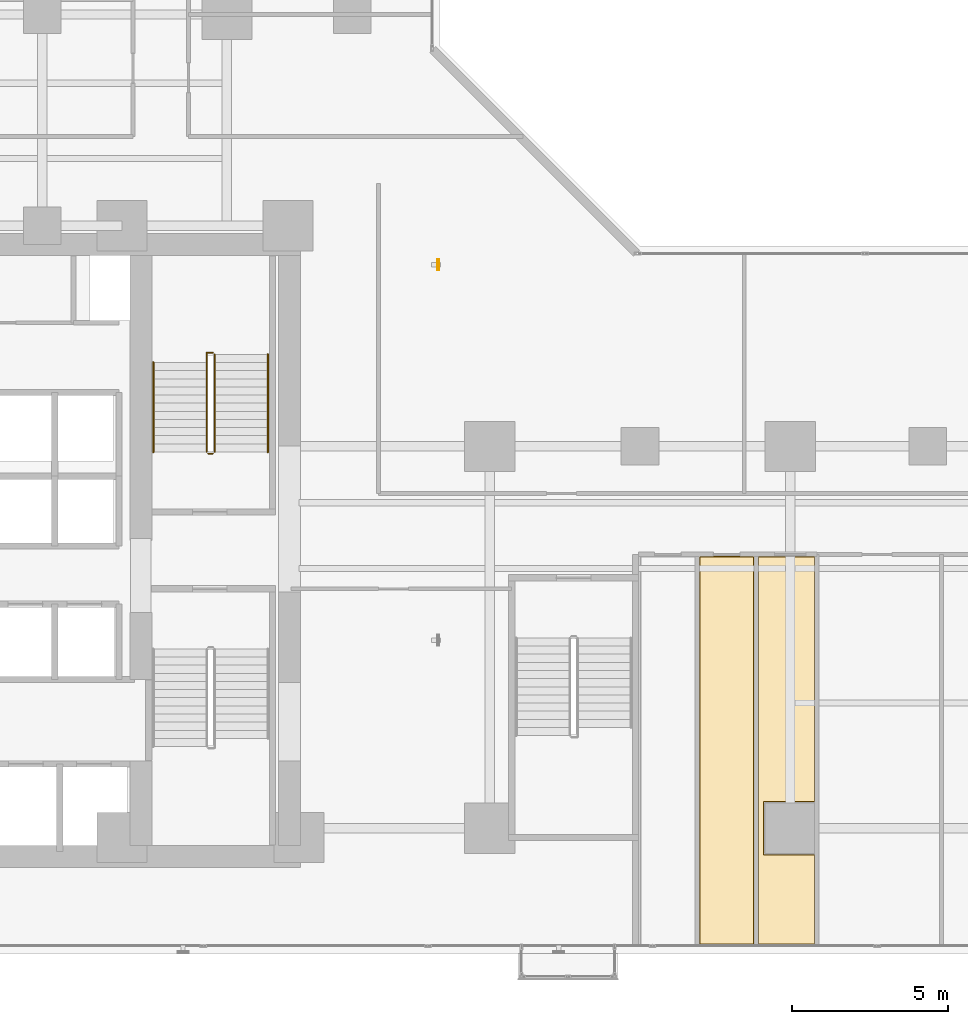
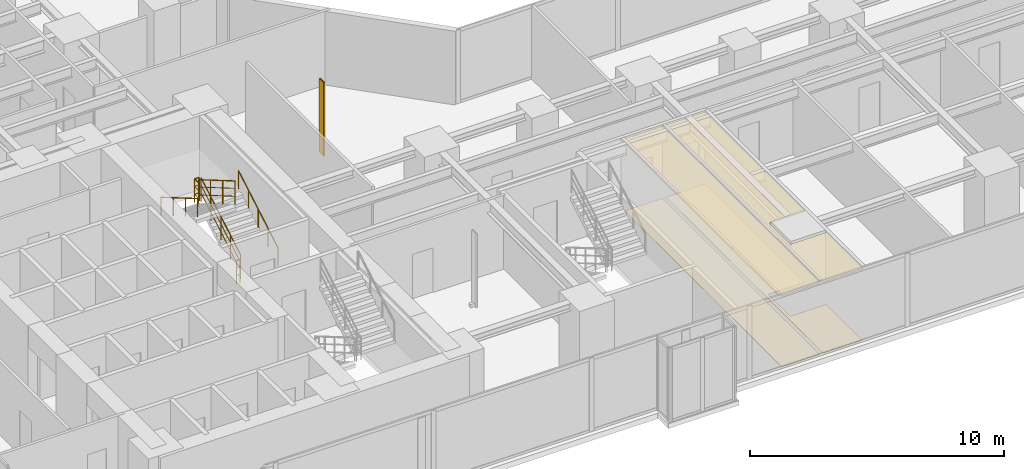
# One storey, part 26 of 27: 6 railings, 4 coverings, 1 shading device.
"""IFC4 building model written with IfcOpenShell, lengths in metres."""

import ifcopenshell
import ifcopenshell.guid

model = None  # the IFC model being written
_history = None  # IfcOwnerHistory: only IFC2X3 demands one
_inside = {}  # id of a spatial element -> (the spatial element, [elements in it])
_under = {}  # id of a project, library or spatial element -> (it, [spatial elements below it])
_declared = {}  # id of a project -> (the project, [libraries it declares])
_typed = {}  # id of a type object -> (the type object, [elements of that type])
_made_of = {}  # id of a material, layer set ... -> (it, [elements and type objects made of it])


def new_model(schema):
    """Start an empty IFC model of exactly this schema.

    Asked for "IFC4X3", IfcOpenShell would pick the latest addendum, in which some entities
    have other attributes; the version numbers below select the first issue.
    IFC2X3 requires an IfcOwnerHistory on every rooted entity: one is made here for all.
    """
    global model, _history
    if schema == "IFC4X3":
        model = ifcopenshell.file(schema_version=(4, 3, 0, 0))
    else:
        model = ifcopenshell.file(schema=schema)
    _inside.clear()
    _under.clear()
    _declared.clear()
    _typed.clear()
    _made_of.clear()
    _history = None
    if model.schema == "IFC2X3":
        org = make("IfcOrganization", Name="unknown")
        user = make(
            "IfcPersonAndOrganization",
            ThePerson=make("IfcPerson", FamilyName="unknown"),
            TheOrganization=org,
        )
        app = make(
            "IfcApplication",
            ApplicationDeveloper=org,
            Version="unknown",
            ApplicationFullName="unknown",
            ApplicationIdentifier="unknown",
        )
        _history = make(
            "IfcOwnerHistory",
            OwningUser=user,
            OwningApplication=app,
            ChangeAction="ADDED",
            CreationDate=0,
        )
    return model


def make(cls, **values):
    """One entity of the class cls with the attributes given. An attribute that is None is left unset."""
    return model.create_entity(
        cls, **{name: value for name, value in values.items() if value is not None}
    )


def rooted(cls, **values):
    """An entity with a GlobalId (a new one), such as an element, a storey or a relation."""
    return make(cls, GlobalId=ifcopenshell.guid.new(), OwnerHistory=_history, **values)


def si_unit(unit_type, name, prefix=None):
    """IfcSIUnit, for example si_unit("LENGTHUNIT", "METRE", prefix="MILLI")."""
    return make("IfcSIUnit", UnitType=unit_type, Prefix=prefix, Name=name)


def assignment(units):
    """IfcUnitAssignment: the units of a project."""
    return None if units is None else make("IfcUnitAssignment", Units=units)


def point(xyz):
    """IfcCartesianPoint."""
    return None if xyz is None else make("IfcCartesianPoint", Coordinates=xyz)


def direction(xyz):
    """IfcDirection."""
    return None if xyz is None else make("IfcDirection", DirectionRatios=xyz)


def frame(location, z_axis=None, x_axis=None):
    """IfcAxis2Placement3D, a coordinate frame: its origin and axes. An axis left out is left unset."""
    return make(
        "IfcAxis2Placement3D",
        Location=point(location),
        Axis=direction(z_axis),
        RefDirection=direction(x_axis),
    )


def frame_2d(location, x_axis=None):
    """IfcAxis2Placement2D, a coordinate frame in the plane: its origin and x axis."""
    return make(
        "IfcAxis2Placement2D", Location=point(location), RefDirection=direction(x_axis)
    )


def origin():
    """The frame at (0, 0, 0) with its axes left unset."""
    return frame((0.0, 0.0, 0.0))


def origin_2d():
    """The frame at (0, 0) in the plane with its x axis left unset."""
    return frame_2d((0.0, 0.0))


def place(relative_to, where):
    """IfcLocalPlacement: puts the frame where relative to a parent placement (None: the world)."""
    return make(
        "IfcLocalPlacement", PlacementRelTo=relative_to, RelativePlacement=where
    )


def context(
    kind, dimensions, precision=None, world=None, true_north=None, identifier=None
):
    """IfcGeometricRepresentationContext, for example the 3D "Model" context."""
    return make(
        "IfcGeometricRepresentationContext",
        ContextIdentifier=identifier,
        ContextType=kind,
        CoordinateSpaceDimension=dimensions,
        Precision=precision,
        WorldCoordinateSystem=world,
        TrueNorth=true_north,
    )


def subcontext(parent, identifier, kind, view, scale=None):
    """IfcGeometricRepresentationSubContext, for example "Body" below "Model"."""
    return make(
        "IfcGeometricRepresentationSubContext",
        ContextIdentifier=identifier,
        ContextType=kind,
        ParentContext=parent,
        TargetScale=scale,
        TargetView=view,
    )


def project(units=None, contexts=None):
    """IfcProject with its units and contexts."""
    return rooted(
        "IfcProject",
        Name="project",
        RepresentationContexts=contexts,
        UnitsInContext=assignment(units),
    )


def spatial(cls, under=None, at=None, **own):
    """A site, building, storey or space (cls), placed at a placement, below another one or the project."""
    s = rooted(cls, ObjectPlacement=at, **own)
    if under is not None:
        _under.setdefault(under.id(), (under, []))[1].append(s)
    return s


def polyline(points):
    """IfcPolyline through the points."""
    return make("IfcPolyline", Points=[point(p) for p in points])


def profile(cls, at=None, kind="AREA", **sizes):
    """A parametric profile (cls). Its sizes go by their IFC names, for example OverallWidth=200.0."""
    return make(cls, ProfileType=kind, Position=at, **sizes)


def hollow_rectangle(**sizes):
    """IfcRectangleHollowProfileDef."""
    return profile("IfcRectangleHollowProfileDef", **sizes)


def circle(**sizes):
    """IfcCircleProfileDef."""
    return profile("IfcCircleProfileDef", **sizes)


def outline(outer, holes=None, kind="AREA"):
    """IfcArbitraryClosedProfileDef: a profile drawn as a closed curve; with holes, ...WithVoids."""
    if holes is None:
        return make("IfcArbitraryClosedProfileDef", ProfileType=kind, OuterCurve=outer)
    return make(
        "IfcArbitraryProfileDefWithVoids",
        ProfileType=kind,
        OuterCurve=outer,
        InnerCurves=holes,
    )


def extrude(swept, where, along, depth):
    """IfcExtrudedAreaSolid: the profile swept, set in the frame where, extruded along a direction by depth."""
    return make(
        "IfcExtrudedAreaSolid",
        SweptArea=swept,
        Position=where,
        ExtrudedDirection=direction(along),
        Depth=depth,
    )


def shape(context_of_items, identifier, shape_type, items):
    """IfcShapeRepresentation: the items that make up one representation, for example the "Body"."""
    return make(
        "IfcShapeRepresentation",
        ContextOfItems=context_of_items,
        RepresentationIdentifier=identifier,
        RepresentationType=shape_type,
        Items=items,
    )


def material(Name=None, Category=None):
    """IfcMaterial."""
    return make("IfcMaterial", Name=Name, Category=Category)


def layer(
    of_material, thickness, ventilated=None, Name=None, Category=None, Priority=None
):
    """IfcMaterialLayer: one layer of a wall or slab, of a material (None: an air gap)."""
    return make(
        "IfcMaterialLayer",
        Material=of_material,
        LayerThickness=thickness,
        IsVentilated=ventilated,
        Name=Name,
        Category=Category,
        Priority=Priority,
    )


def layer_set(layers, Name=None):
    """IfcMaterialLayerSet."""
    return make("IfcMaterialLayerSet", MaterialLayers=layers, LayerSetName=Name)


def material_profile(
    of_material, cross_section, Name=None, Category=None, Priority=None
):
    """IfcMaterialProfile: a cross section and its material."""
    return make(
        "IfcMaterialProfile",
        Name=Name,
        Material=of_material,
        Profile=cross_section,
        Priority=Priority,
        Category=Category,
    )


def profile_set(profiles, Name=None, composite=None):
    """IfcMaterialProfileSet."""
    return make(
        "IfcMaterialProfileSet",
        Name=Name,
        MaterialProfiles=profiles,
        CompositeProfile=composite,
    )


def made_of(thing, what):
    """Note that an element or type object is made of a material, layer set ...; save() writes the relation."""
    if what is not None:
        _made_of.setdefault(what.id(), (what, []))[1].append(thing)
    return thing


def type_object(cls, material=None, **own):
    """A type object (cls), such as IfcWallType, which elements share."""
    return made_of(rooted(cls, **own), material)


def element(
    cls,
    number,
    at=None,
    inside=None,
    cuts=None,
    type_object=None,
    material=None,
    context=None,
    identifier="Body",
    shape_type=None,
    held_by="IfcProductDefinitionShape",
    body=None,
    shapes=None,
    **own,
):
    """One element of the class cls, such as IfcWall. Its Tag is "e" and its number.

    at: its placement. inside: the storey or other place that contains it. cuts: it is an
    opening in that element (IfcRelVoidsElement). A single representation is given by context,
    identifier, shape_type and body (its items); several are given by shapes. held_by: the class
    of the entity that holds the representations. save() writes the other relations.
    """
    e = rooted(cls, Tag="e%d" % number, ObjectPlacement=at, **own)
    if body is not None:
        shapes = [shape(context, identifier, shape_type, body)]
    if shapes is not None:
        e.Representation = make(held_by, Representations=shapes)
    if inside is not None:
        _inside.setdefault(inside.id(), (inside, []))[1].append(e)
    if cuts is not None:
        rooted(
            "IfcRelVoidsElement", RelatingBuildingElement=cuts, RelatedOpeningElement=e
        )
    if type_object is not None:
        _typed.setdefault(type_object.id(), (type_object, []))[1].append(e)
    return made_of(e, material)


def aggregate(whole, parts):
    """IfcRelAggregates: a whole, such as a stair, and the parts it consists of."""
    return rooted("IfcRelAggregates", RelatingObject=whole, RelatedObjects=parts)


def save(model, path):
    """Write the relations noted so far, then the file.

    IfcRelAggregates (storeys below a building ...), IfcRelContainedInSpatialStructure (elements
    in a storey), IfcRelDefinesByType, IfcRelAssociatesMaterial and IfcRelDeclares: one each for
    every whole, place, type object, material and project.
    """
    for whole, parts in _under.values():
        aggregate(whole, parts)
    for where, things in _inside.values():
        rooted(
            "IfcRelContainedInSpatialStructure",
            RelatedElements=things,
            RelatingStructure=where,
        )
    for kind, things in _typed.values():
        rooted("IfcRelDefinesByType", RelatedObjects=things, RelatingType=kind)
    for what, things in _made_of.values():
        rooted("IfcRelAssociatesMaterial", RelatedObjects=things, RelatingMaterial=what)
    for by, libraries in _declared.values():
        rooted("IfcRelDeclares", RelatingContext=by, RelatedDefinitions=libraries)
    model.write(path)


model = new_model("IFC4")

# Units and contexts
model_context = context("Model", 3, precision=1e-05, world=origin(), true_north=direction((0.0, 1.0)))
body_context = subcontext(model_context, "Body", "Model", "MODEL_VIEW")
ifc_project = project(units=[si_unit("LENGTHUNIT", "METRE"), si_unit("AREAUNIT", "SQUARE_METRE"), si_unit("VOLUMEUNIT", "CUBIC_METRE"), si_unit("PLANEANGLEUNIT", "RADIAN"), si_unit("MASSUNIT", "GRAM", prefix="KILO")], contexts=[model_context])

# Site, building, storey
site_placement = place(None, origin())
site = spatial("IfcSite", under=ifc_project, at=site_placement, CompositionType="ELEMENT")
building_placement = place(site_placement, origin())
building = spatial("IfcBuilding", under=site, at=building_placement, Name="Kolvaren Waterfront Exchange", CompositionType="ELEMENT")
storey_placement = place(building_placement, frame((0.0, 0.0, 63.800048828125)))
storey = spatial("IfcBuildingStorey", under=building, at=storey_placement, Name="L16", CompositionType="ELEMENT", Elevation=63.800048828125)

# Coverings
ifc_material_1 = material(Name="Mineral fibre acoustic ceiling tile")
ifc_layer_1 = layer(ifc_material_1, 0.02490234375, Name="Mineral fibre acoustic ceiling tile")
ifc_layer_set_1 = layer_set([ifc_layer_1], Name="Mineral fibre acoustic ceiling tile")
covering_type_1 = type_object("IfcCoveringType", Name="ARC-CEIL-ACOUSTIC-25", PredefinedType="CEILING", material=ifc_layer_set_1)
covering_1_placement = place(storey_placement, frame((0.0, 0.0, 3.425048828125)))
element("IfcCovering", 1, at=covering_1_placement, inside=storey, type_object=covering_type_1, Name="L16 acoustic suspended ceiling 2", PredefinedType="CEILING", context=body_context, shape_type="SweptSolid", body=[
    extrude(outline(polyline([(35.6650390625, 1.465087890625), (35.6650390625, 13.89501953125), (33.875, 13.89501953125), (33.875, 1.465087890625), (35.6650390625, 1.465087890625)])), origin(), (0.0, 0.0, 1.0), 0.02490234375),
])
covering_2_placement = place(storey_placement, frame((0.0, 0.0, 3.425048828125)))
element("IfcCovering", 2, at=covering_2_placement, inside=storey, type_object=covering_type_1, Name="L16 acoustic suspended ceiling 3", PredefinedType="CEILING", context=body_context, shape_type="SweptSolid", body=[
    extrude(outline(polyline([(37.60498046875, 4.360107421875), (35.9599609375, 4.360107421875), (35.9599609375, 6.0400390625), (37.60498046875, 6.0400390625), (37.60498046875, 13.89501953125), (35.7548828125, 13.89501953125), (35.7548828125, 1.465087890625), (37.60498046875, 1.465087890625), (37.60498046875, 4.360107421875)])), origin(), (0.0, 0.0, 1.0), 0.02490234375),
])

# Shading device
ifc_material_2 = material(Name="Anodised bronze aluminium 6063-T6", Category="aluminium")
ifc_material_profile = material_profile(ifc_material_2, hollow_rectangle(XDim=0.06005859375, YDim=0.35009765625, WallThickness=0.0048828125, at=origin_2d()), Name="BRZ-FIN-350x60x5")
ifc_profile_set = profile_set([ifc_material_profile], Name="Anodised bronze aluminium 6063-T6")
shading_device_type = type_object("IfcShadingDeviceType", Name="ARC-FIN-350", PredefinedType="USERDEFINED", material=ifc_profile_set)
shading_device_placement = place(storey_placement, frame((25.56005859375, 23.199951171875, 0.0), z_axis=(0.0, 0.0, 1.0), x_axis=(1.0, 0.0, 0.0)))
element("IfcShadingDevice", 3, at=shading_device_placement, inside=storey, type_object=shading_device_type, Name="L16 anodised bronze solar shading fin FIN-L16-E2", ObjectType="SOLAR FIN", PredefinedType="USERDEFINED", context=body_context, shape_type="SweptSolid", body=[
    extrude(hollow_rectangle(XDim=0.06005859375, YDim=0.35009765625, WallThickness=0.0048828125, at=origin_2d()), origin(), (0.0, 0.0, 1.0), 3.5400390625),
])

# Coverings
ifc_material_3 = material(Name="Slip-resistant porcelain tile")
ifc_layer_2 = layer(ifc_material_3, 0.014892578125, Name="Slip-resistant porcelain tile")
ifc_layer_set_2 = layer_set([ifc_layer_2], Name="Slip-resistant porcelain tile")
covering_type_2 = type_object("IfcCoveringType", Name="ARC-FLR-PORC-15", PredefinedType="FLOORING", material=ifc_layer_set_2)
covering_3_placement = place(storey_placement, origin())
element("IfcCovering", 4, at=covering_3_placement, inside=storey, type_object=covering_type_2, Name="L16 floor finish 2", PredefinedType="FLOORING", context=body_context, shape_type="SweptSolid", body=[
    extrude(outline(polyline([(33.909912109375, 13.860107421875), (33.909912109375, 1.5), (35.6298828125, 1.5), (35.6298828125, 13.860107421875), (33.909912109375, 13.860107421875)])), origin(), (0.0, 0.0, 1.0), 0.014892578125),
])
covering_4_placement = place(storey_placement, origin())
element("IfcCovering", 5, at=covering_4_placement, inside=storey, type_object=covering_type_2, Name="L16 floor finish 3", PredefinedType="FLOORING", context=body_context, shape_type="SweptSolid", body=[
    extrude(outline(polyline([(35.7900390625, 13.860107421875), (35.7900390625, 1.5), (37.570068359375, 1.5), (37.570068359375, 4.340087890625), (35.93994140625, 4.340087890625), (35.93994140625, 6.06005859375), (37.570068359375, 6.06005859375), (37.570068359375, 13.860107421875), (35.7900390625, 13.860107421875)])), origin(), (0.0, 0.0, 1.0), 0.014892578125),
])

# Railings
ifc_material_4 = material(Name="Stainless steel 316", Category="steel")
railing_type_1 = type_object("IfcRailingType", Name="ARC-GUARD-STAIR", PredefinedType="GUARDRAIL", material=ifc_material_4)
railing_1_placement = place(storey_placement, frame((18.409912109375, 17.219970703125, 0.15185546875)))
element("IfcRailing", 6, at=railing_1_placement, inside=storey, type_object=railing_type_1, Name="L16 ST2 stair guard 1", PredefinedType="GUARDRAIL", context=body_context, shape_type="SweptSolid", body=[
    extrude(circle(Radius=0.02392578125, at=origin_2d()), frame((0.0, 0.0, 1.1259765625), z_axis=(0.0, 0.86330811405, 0.504677223793), x_axis=(-1.0, 0.0, 0.0)), (0.0, 0.0, 1.0), 3.6142578125),
    extrude(circle(Radius=0.01611328125, at=origin_2d()), frame((0.0, 0.0, 0.390869140625), z_axis=(0.0, 0.86330811405, 0.504677223793), x_axis=(-1.0, 0.0, 0.0)), (0.0, 0.0, 1.0), 3.6142578125),
    extrude(circle(Radius=0.01611328125, at=origin_2d()), frame((0.0, 0.0, 0.7705078125), z_axis=(0.0, 0.86330811405, 0.504677223793), x_axis=(-1.0, 0.0, 0.0)), (0.0, 0.0, 1.0), 3.6142578125),
    extrude(circle(Radius=0.02099609375, at=origin_2d()), origin(), (0.0, 0.0, 1.0), 1.101806640625),
    extrude(circle(Radius=0.02099609375, at=origin_2d()), frame((0.0, 0.780029296875, 0.4560546875)), (0.0, 0.0, 1.0), 1.101806640625),
    extrude(circle(Radius=0.02099609375, at=origin_2d()), frame((0.0, 1.56005859375, 0.912109375)), (0.0, 0.0, 1.0), 1.101806640625),
    extrude(circle(Radius=0.02099609375, at=origin_2d()), frame((0.0, 2.340087890625, 1.367919921875)), (0.0, 0.0, 1.0), 1.101806640625),
    extrude(circle(Radius=0.02099609375, at=origin_2d()), frame((0.0, 3.1201171875, 1.823974609375)), (0.0, 0.0, 1.0), 1.101806640625),
])
railing_2_placement = place(storey_placement, frame((18.360107421875, 20.389892578125, 1.975830078125)))
element("IfcRailing", 7, at=railing_2_placement, inside=storey, type_object=railing_type_1, Name="L16 ST2 stair guard 2", PredefinedType="GUARDRAIL", context=body_context, shape_type="SweptSolid", body=[
    extrude(circle(Radius=0.02392578125, at=origin_2d()), frame((0.0, 0.0, 1.1259765625), z_axis=(-1.0, 0.0, 0.0), x_axis=(0.0, -1.0, 0.0)), (0.0, 0.0, 1.0), 0.210205078125),
    extrude(circle(Radius=0.01611328125, at=origin_2d()), frame((0.0, 0.0, 0.390869140625), z_axis=(-1.0, 0.0, 0.0), x_axis=(0.0, -1.0, 0.0)), (0.0, 0.0, 1.0), 0.210205078125),
    extrude(circle(Radius=0.01611328125, at=origin_2d()), frame((0.0, 0.0, 0.7705078125), z_axis=(-1.0, 0.0, 0.0), x_axis=(0.0, -1.0, 0.0)), (0.0, 0.0, 1.0), 0.210205078125),
    extrude(circle(Radius=0.02392578125, at=origin_2d()), frame((-0.210205078125, 0.0, 1.1259765625), z_axis=(0.0, -1.0, 0.0), x_axis=(1.0, 0.0, 0.0)), (0.0, 0.0, 1.0), 0.309814453125),
    extrude(circle(Radius=0.01611328125, at=origin_2d()), frame((-0.210205078125, 0.0, 0.390869140625), z_axis=(0.0, -1.0, 0.0), x_axis=(1.0, 0.0, 0.0)), (0.0, 0.0, 1.0), 0.309814453125),
    extrude(circle(Radius=0.01611328125, at=origin_2d()), frame((-0.210205078125, 0.0, 0.7705078125), z_axis=(0.0, -1.0, 0.0), x_axis=(1.0, 0.0, 0.0)), (0.0, 0.0, 1.0), 0.309814453125),
    extrude(circle(Radius=0.02099609375, at=origin_2d()), origin(), (0.0, 0.0, 1.0), 1.101806640625),
    extrude(circle(Radius=0.02099609375, at=origin_2d()), frame((-0.210205078125, 0.0, 0.0)), (0.0, 0.0, 1.0), 1.101806640625),
    extrude(circle(Radius=0.02099609375, at=origin_2d()), frame((-0.210205078125, -0.309814453125, 0.0)), (0.0, 0.0, 1.0), 1.101806640625),
])
railing_3_placement = place(storey_placement, frame((18.14990234375, 20.080078125, 2.1279296875)))
element("IfcRailing", 8, at=railing_3_placement, inside=storey, type_object=railing_type_1, Name="L16 ST2 stair guard 3", PredefinedType="GUARDRAIL", context=body_context, shape_type="SweptSolid", body=[
    extrude(circle(Radius=0.02392578125, at=origin_2d()), frame((0.0, 0.0, 1.1259765625), z_axis=(0.0, -0.863289384635, 0.504709261235), x_axis=(1.0, 0.0, 0.0)), (0.0, 0.0, 1.0), 3.31298828125),
    extrude(circle(Radius=0.01611328125, at=origin_2d()), frame((0.0, 0.0, 0.390869140625), z_axis=(0.0, -0.863289384635, 0.504709261235), x_axis=(1.0, 0.0, 0.0)), (0.0, 0.0, 1.0), 3.31298828125),
    extrude(circle(Radius=0.01611328125, at=origin_2d()), frame((0.0, 0.0, 0.7705078125), z_axis=(0.0, -0.863289384635, 0.504709261235), x_axis=(1.0, 0.0, 0.0)), (0.0, 0.0, 1.0), 3.31298828125),
    extrude(circle(Radius=0.02099609375, at=origin_2d()), origin(), (0.0, 0.0, 1.0), 1.101806640625),
    extrude(circle(Radius=0.02099609375, at=origin_2d()), frame((0.0, -0.953369140625, 0.557373046875)), (0.0, 0.0, 1.0), 1.101806640625),
    extrude(circle(Radius=0.02099609375, at=origin_2d()), frame((0.0, -1.90673828125, 1.11474609375)), (0.0, 0.0, 1.0), 1.101806640625),
    extrude(circle(Radius=0.02099609375, at=origin_2d()), frame((0.0, -2.860107421875, 1.672119140625)), (0.0, 0.0, 1.0), 1.101806640625),
])
railing_4_placement = place(storey_placement, frame((18.360107421875, 17.169921875, 0.0)))
element("IfcRailing", 9, at=railing_4_placement, inside=storey, type_object=railing_type_1, Name="L16 ST2 stair guard 4", PredefinedType="GUARDRAIL", context=body_context, shape_type="SweptSolid", body=[
    extrude(circle(Radius=0.02392578125, at=origin_2d()), frame((0.0, 0.0, 1.1259765625), z_axis=(-1.0, 0.0, 0.0), x_axis=(0.0, -1.0, 0.0)), (0.0, 0.0, 1.0), 0.16015625),
    extrude(circle(Radius=0.01611328125, at=origin_2d()), frame((0.0, 0.0, 0.390869140625), z_axis=(-1.0, 0.0, 0.0), x_axis=(0.0, -1.0, 0.0)), (0.0, 0.0, 1.0), 0.16015625),
    extrude(circle(Radius=0.01611328125, at=origin_2d()), frame((0.0, 0.0, 0.7705078125), z_axis=(-1.0, 0.0, 0.0), x_axis=(0.0, -1.0, 0.0)), (0.0, 0.0, 1.0), 0.16015625),
    extrude(circle(Radius=0.02099609375, at=origin_2d()), origin(), (0.0, 0.0, 1.0), 1.101806640625),
    extrude(circle(Radius=0.02099609375, at=origin_2d()), frame((-0.16015625, 0.0, 0.0)), (0.0, 0.0, 1.0), 1.101806640625),
])
railing_type_2 = type_object("IfcRailingType", Name="ARC-HANDRAIL-900", PredefinedType="HANDRAIL", material=ifc_material_4)
railing_5_placement = place(storey_placement, frame((20.110107421875, 17.219970703125, 0.15185546875)))
element("IfcRailing", 10, at=railing_5_placement, inside=storey, type_object=railing_type_2, Name="L16 ST2 stair handrail 1", PredefinedType="HANDRAIL", context=body_context, shape_type="SweptSolid", body=[
    extrude(circle(Radius=0.02392578125, at=origin_2d()), frame((0.0, 0.0, 0.8759765625), z_axis=(0.0, 0.86330811405, 0.504677223793), x_axis=(-1.0, 0.0, 0.0)), (0.0, 0.0, 1.0), 3.6142578125),
    extrude(circle(Radius=0.02099609375, at=origin_2d()), origin(), (0.0, 0.0, 1.0), 0.851806640625),
    extrude(circle(Radius=0.02099609375, at=origin_2d()), frame((0.0, 0.780029296875, 0.4560546875)), (0.0, 0.0, 1.0), 0.851806640625),
    extrude(circle(Radius=0.02099609375, at=origin_2d()), frame((0.0, 1.56005859375, 0.912109375)), (0.0, 0.0, 1.0), 0.851806640625),
    extrude(circle(Radius=0.02099609375, at=origin_2d()), frame((0.0, 2.340087890625, 1.367919921875)), (0.0, 0.0, 1.0), 0.851806640625),
    extrude(circle(Radius=0.02099609375, at=origin_2d()), frame((0.0, 3.1201171875, 1.823974609375)), (0.0, 0.0, 1.0), 0.851806640625),
])
railing_6_placement = place(storey_placement, frame((16.449951171875, 20.080078125, 2.1279296875)))
element("IfcRailing", 11, at=railing_6_placement, inside=storey, type_object=railing_type_2, Name="L16 ST2 stair handrail 2", PredefinedType="HANDRAIL", context=body_context, shape_type="SweptSolid", body=[
    extrude(circle(Radius=0.02392578125, at=origin_2d()), frame((0.0, 0.0, 0.8759765625), z_axis=(0.0, -0.863289384635, 0.504709261235), x_axis=(1.0, 0.0, 0.0)), (0.0, 0.0, 1.0), 3.31298828125),
    extrude(circle(Radius=0.02099609375, at=origin_2d()), origin(), (0.0, 0.0, 1.0), 0.851806640625),
    extrude(circle(Radius=0.02099609375, at=origin_2d()), frame((0.0, -0.953369140625, 0.557373046875)), (0.0, 0.0, 1.0), 0.851806640625),
    extrude(circle(Radius=0.02099609375, at=origin_2d()), frame((0.0, -1.90673828125, 1.11474609375)), (0.0, 0.0, 1.0), 0.851806640625),
    extrude(circle(Radius=0.02099609375, at=origin_2d()), frame((0.0, -2.860107421875, 1.672119140625)), (0.0, 0.0, 1.0), 0.851806640625),
])

save(model, "model.ifc")
